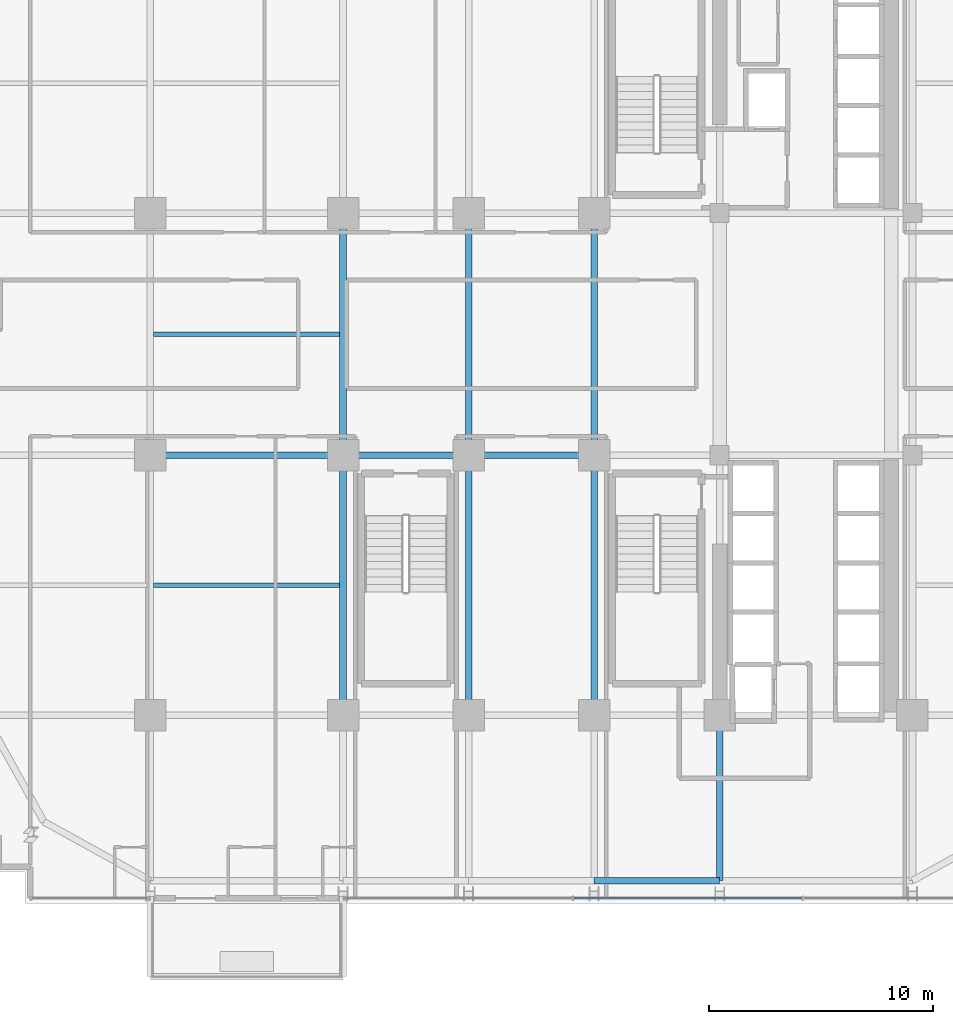
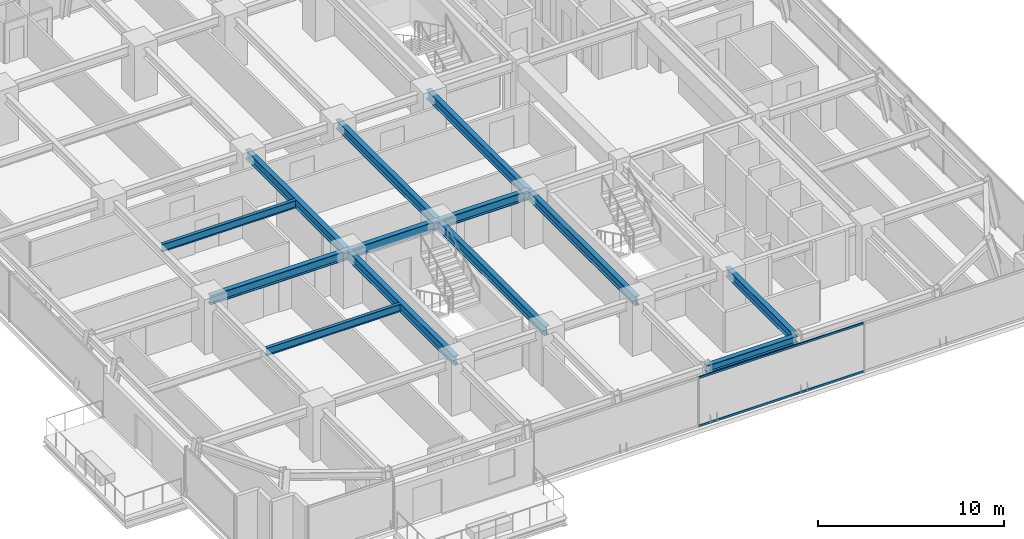
# One storey, part 10 of 35: 13 beams, 2 members, 1 element without a shape of its own.
"""IFC4 building model written with IfcOpenShell, lengths in metres."""

from ifc_helpers import new_model, si_unit, direction, frame, origin, origin_2d, place, context, subcontext, project, spatial, hollow_rectangle, i_section, extrude, source, transform, mapped, material, material_profile, profile_set, type_object, element, aggregate, save


model = new_model("IFC4")

# Units and contexts
model_context = context("Model", 3, precision=1e-05, world=origin(), true_north=direction((0.0, 1.0)))
body_context = subcontext(model_context, "Body", "Model", "MODEL_VIEW")
ifc_project = project(units=[si_unit("LENGTHUNIT", "METRE"), si_unit("AREAUNIT", "SQUARE_METRE"), si_unit("VOLUMEUNIT", "CUBIC_METRE"), si_unit("PLANEANGLEUNIT", "RADIAN"), si_unit("MASSUNIT", "GRAM", prefix="KILO")], contexts=[model_context])

# Site, building, storey
site_placement = place(None, origin())
site = spatial("IfcSite", under=ifc_project, at=site_placement, CompositionType="ELEMENT")
building_placement = place(site_placement, origin())
building = spatial("IfcBuilding", under=site, at=building_placement, Name="Nahalor Promenade Grand Hotel", CompositionType="ELEMENT")
storey_placement = place(building_placement, frame((0.0, 0.0, 79.85009765625)))
storey = spatial("IfcBuildingStorey", under=building, at=storey_placement, Name="L19", CompositionType="ELEMENT", Elevation=79.85009765625)

# Beams
ifc_material_1 = material(Name="Steel S355JR", Category="steel")
ifc_material_profile_1 = material_profile(ifc_material_1, i_section(OverallWidth=0.3, OverallDepth=0.6, WebThickness=0.0155, FlangeThickness=0.03, at=origin_2d()), Name="HEB 600")
ifc_profile_set_1 = profile_set([ifc_material_profile_1], Name="Steel S355JR")
beam_type_1 = type_object("IfcBeamType", Name="Beam-Girder-HEB600", PredefinedType="BEAM", material=ifc_profile_set_1)
shared_shape_1 = source(origin(), body_context, "Body", "SweptSolid", [
    extrude(i_section(OverallWidth=0.3, OverallDepth=0.6, WebThickness=0.0155, FlangeThickness=0.03, at=origin_2d()), origin(), (0.0, 0.0, 1.0), 8.60009765625),
])
beam_1_placement = place(storey_placement, frame((-17.0, -5.39990234375, 2.989990234375), z_axis=(1.0, 0.0, 0.0), x_axis=(0.0, 1.0, 0.0)))
element("IfcBeam", 1, at=beam_1_placement, inside=storey, type_object=beam_type_1, Name="BM-L19-GX-1-1", PredefinedType="BEAM", context=body_context, shape_type="MappedRepresentation", body=[
    mapped(shared_shape_1, transform((0.0, 0.0, 0.0), scale=1.0)),
])
shared_shape_2 = source(origin(), body_context, "Body", "SweptSolid", [
    extrude(i_section(OverallWidth=0.3, OverallDepth=0.6, WebThickness=0.0155, FlangeThickness=0.03, at=origin_2d()), origin(), (0.0, 0.0, 1.0), 5.599853515625),
])
beam_2_placement = place(storey_placement, frame((-8.39990234375, -5.39990234375, 2.989990234375), z_axis=(1.0, 0.0, 0.0), x_axis=(0.0, 1.0, 0.0)))
element("IfcBeam", 2, at=beam_2_placement, inside=storey, type_object=beam_type_1, Name="BM-L19-GX-1-2", PredefinedType="BEAM", context=body_context, shape_type="MappedRepresentation", body=[
    mapped(shared_shape_2, transform((0.0, 0.0, 0.0), scale=1.0)),
])
shared_shape_3 = source(origin(), body_context, "Body", "SweptSolid", [
    extrude(i_section(OverallWidth=0.3, OverallDepth=0.6, WebThickness=0.0155, FlangeThickness=0.03, at=origin_2d()), origin(), (0.0, 0.0, 1.0), 5.60009765625),
])
beam_3_placement = place(storey_placement, frame((-2.800048828125, -5.39990234375, 2.989990234375), z_axis=(1.0, 0.0, 0.0), x_axis=(0.0, 1.0, 0.0)))
element("IfcBeam", 3, at=beam_3_placement, inside=storey, type_object=beam_type_1, Name="BM-L19-GX-1-3", PredefinedType="BEAM", context=body_context, shape_type="MappedRepresentation", body=[
    mapped(shared_shape_3, transform((0.0, 0.0, 0.0), scale=1.0)),
])
shared_shape_4 = source(origin(), body_context, "Body", "SweptSolid", [
    extrude(i_section(OverallWidth=0.3, OverallDepth=0.6, WebThickness=0.0155, FlangeThickness=0.03, at=origin_2d()), origin(), (0.0, 0.0, 1.0), 11.60009765625),
])
for number, where, z_axis, x_axis, name in (
    (4, (-8.39990234375, -17.0, 2.989990234375), (0.0, 1.0, 0.0), (-1.0, 0.0, 0.0), "BM-L19-GY-1-1"),
    (5, (-2.800048828125, -17.0, 2.989990234375), (0.0, 1.0, 0.0), (-1.0, 0.0, 0.0), "BM-L19-GY-2-1"),
    (6, (2.800048828125, -17.0, 2.989990234375), (0.0, 1.0, 0.0), (-1.0, 0.0, 0.0), "BM-L19-GY-3-1"),
):
    element("IfcBeam", number, at=place(storey_placement, frame(where, z_axis=z_axis, x_axis=x_axis)), inside=storey, type_object=beam_type_1, Name=name, PredefinedType="BEAM", context=body_context, shape_type="MappedRepresentation", body=[
        mapped(shared_shape_4, transform((0.0, 0.0, 0.0), scale=1.0)),
    ])
shared_shape_5 = source(origin(), body_context, "Body", "SweptSolid", [
    extrude(i_section(OverallWidth=0.3, OverallDepth=0.6, WebThickness=0.0155, FlangeThickness=0.03, at=origin_2d()), origin(), (0.0, 0.0, 1.0), 10.7998046875),
])
for number, where, z_axis, x_axis, name in (
    (7, (-8.39990234375, -5.39990234375, 2.989990234375), (0.0, 1.0, 0.0), (-1.0, 0.0, 0.0), "BM-L19-GY-1-2"),
    (8, (-2.800048828125, -5.39990234375, 2.989990234375), (0.0, 1.0, 0.0), (-1.0, 0.0, 0.0), "BM-L19-GY-2-2"),
    (9, (2.800048828125, -5.39990234375, 2.989990234375), (0.0, 1.0, 0.0), (-1.0, 0.0, 0.0), "BM-L19-GY-3-2"),
):
    element("IfcBeam", number, at=place(storey_placement, frame(where, z_axis=z_axis, x_axis=x_axis)), inside=storey, type_object=beam_type_1, Name=name, PredefinedType="BEAM", context=body_context, shape_type="MappedRepresentation", body=[
        mapped(shared_shape_5, transform((0.0, 0.0, 0.0), scale=1.0)),
    ])
ifc_material_profile_2 = material_profile(ifc_material_1, i_section(OverallWidth=0.3, OverallDepth=0.5, WebThickness=0.0145, FlangeThickness=0.028, at=origin_2d()), Name="HEB 500")
ifc_profile_set_2 = profile_set([ifc_material_profile_2], Name="Steel S355JR")
beam_type_2 = type_object("IfcBeamType", Name="Beam-Spandrel-HEB500", PredefinedType="SPANDREL", material=ifc_profile_set_2)
shared_shape_6 = source(origin(), body_context, "Body", "SweptSolid", [
    extrude(i_section(OverallWidth=0.3, OverallDepth=0.5, WebThickness=0.0145, FlangeThickness=0.028, at=origin_2d()), origin(), (0.0, 0.0, 1.0), 5.599853515625),
])
beam_4_placement = place(storey_placement, frame((2.800048828125, -24.3798828125, 3.039794921875), z_axis=(1.0, 0.0, 0.0), x_axis=(0.0, 1.0, 0.0)))
element("IfcBeam", 10, at=beam_4_placement, inside=storey, type_object=beam_type_2, Name="BM-L19-SP-S-3", PredefinedType="SPANDREL", context=body_context, shape_type="MappedRepresentation", body=[
    mapped(shared_shape_6, transform((0.0, 0.0, 0.0), scale=1.0)),
])
ifc_material_profile_3 = material_profile(ifc_material_1, i_section(OverallWidth=0.2, OverallDepth=0.5, WebThickness=0.0102, FlangeThickness=0.016, at=origin_2d()), Name="IPE 500")
ifc_profile_set_3 = profile_set([ifc_material_profile_3], Name="Steel S355JR")
beam_type_3 = type_object("IfcBeamType", Name="Beam-Joist-IPE500", PredefinedType="JOIST", material=ifc_profile_set_3)
shared_shape_7 = source(origin(), body_context, "Body", "SweptSolid", [
    extrude(i_section(OverallWidth=0.2, OverallDepth=0.5, WebThickness=0.0102, FlangeThickness=0.016, at=origin_2d()), origin(), (0.0, 0.0, 1.0), 8.300048828125),
])
for number, where, z_axis, x_axis, name in (
    (11, (-16.85009765625, -11.199951171875, 3.039794921875), (1.0, 0.0, 0.0), (0.0, 1.0, 0.0), "BM-L19-JSW-0-1"),
    (12, (-16.85009765625, 0.0, 3.039794921875), (1.0, 0.0, 0.0), (0.0, 1.0, 0.0), "BM-L19-JSC-0"),
):
    element("IfcBeam", number, at=place(storey_placement, frame(where, z_axis=z_axis, x_axis=x_axis)), inside=storey, type_object=beam_type_3, Name=name, PredefinedType="JOIST", context=body_context, shape_type="MappedRepresentation", body=[
        mapped(shared_shape_7, transform((0.0, 0.0, 0.0), scale=1.0)),
    ])
shared_shape_8 = source(origin(), body_context, "Body", "SweptSolid", [
    extrude(i_section(OverallWidth=0.3, OverallDepth=0.6, WebThickness=0.0155, FlangeThickness=0.03, at=origin_2d()), origin(), (0.0, 0.0, 1.0), 7.3798828125),
])
beam_5_placement = place(storey_placement, frame((8.39990234375, -24.3798828125, 2.989990234375), z_axis=(0.0, 1.0, 0.0), x_axis=(-1.0, 0.0, 0.0)))
element("IfcBeam", 13, at=beam_5_placement, inside=storey, type_object=beam_type_1, Name="BM-L19-GY-4-0", PredefinedType="BEAM", context=body_context, shape_type="MappedRepresentation", body=[
    mapped(shared_shape_8, transform((0.0, 0.0, 0.0), scale=1.0)),
])

# Curtain wall, members
ifc_material_2 = material(Name="Anodised Bronze Aluminium EN AW-6063 T6", Category="aluminium")
curtain_wall_type = type_object("IfcCurtainWallType", Name="CW2 Typical Hotel Flush Bronze Unitised Curtain Wall", PredefinedType="USERDEFINED", material=ifc_material_2)
curtain_wall_placement = place(storey_placement, origin())
curtain_wall = element("IfcCurtainWall", 14, at=curtain_wall_placement, inside=storey, type_object=curtain_wall_type, Name="L19 Curtain Wall CW-L19-S-3", ObjectType="UNITISED_CURTAIN_WALL", PredefinedType="USERDEFINED")
ifc_material_profile_4 = material_profile(ifc_material_2, hollow_rectangle(XDim=0.065, YDim=0.13, WallThickness=0.004, at=origin_2d()), Name="CWT 65x130x4")
ifc_profile_set_4 = profile_set([ifc_material_profile_4], Name="Anodised Bronze Aluminium EN AW-6063 T6")
member_type = type_object("IfcMemberType", Name="CWT2 Typical Bronze Transom 65x130", PredefinedType="USERDEFINED", material=ifc_profile_set_4)
shared_shape_9 = source(origin(), body_context, "Body", "SweptSolid", [
    extrude(hollow_rectangle(XDim=0.065, YDim=0.13, WallThickness=0.004, at=origin_2d()), origin(), (0.0, 0.0, 1.0), 10.1884765625),
])
member_1_placement = place(storey_placement, frame((1.8857421875, -25.159912109375, 0.06494140625), z_axis=(1.0, 0.0, 0.0), x_axis=(0.0, 1.0, 0.0)))
member_1 = element("IfcMember", 15, at=member_1_placement, type_object=member_type, Name="CW-L19-S-3 Transom 1-0", ObjectType="TRANSOM", PredefinedType="USERDEFINED", context=body_context, shape_type="MappedRepresentation", body=[
    mapped(shared_shape_9, transform((0.0, 0.0, 0.0), scale=1.0)),
])
member_2_placement = place(storey_placement, frame((1.8857421875, -25.159912109375, 3.224853515625), z_axis=(1.0, 0.0, 0.0), x_axis=(0.0, 1.0, 0.0)))
member_2 = element("IfcMember", 16, at=member_2_placement, type_object=member_type, Name="CW-L19-S-3 Transom 1-1", ObjectType="TRANSOM", PredefinedType="USERDEFINED", context=body_context, shape_type="MappedRepresentation", body=[
    mapped(shared_shape_9, transform((0.0, 0.0, 0.0), scale=1.0)),
])
aggregate(curtain_wall, [member_1, member_2])

save(model, "model.ifc")
